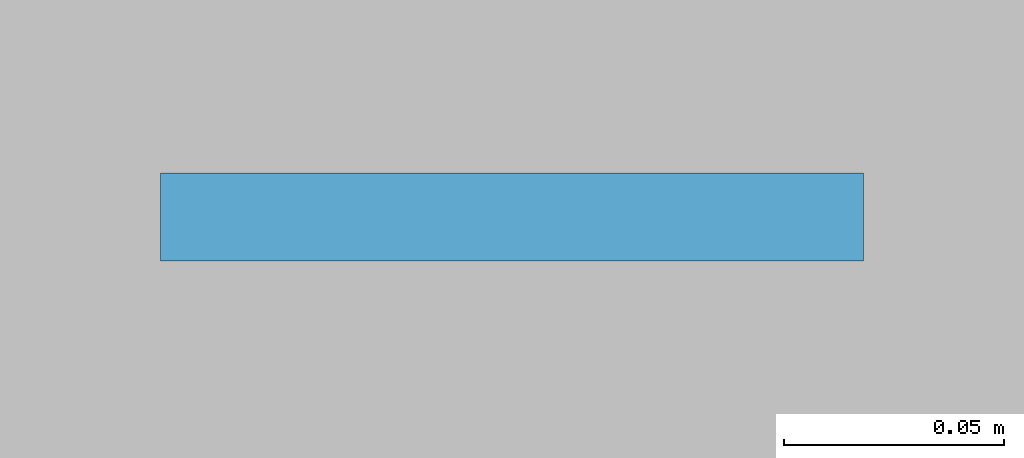
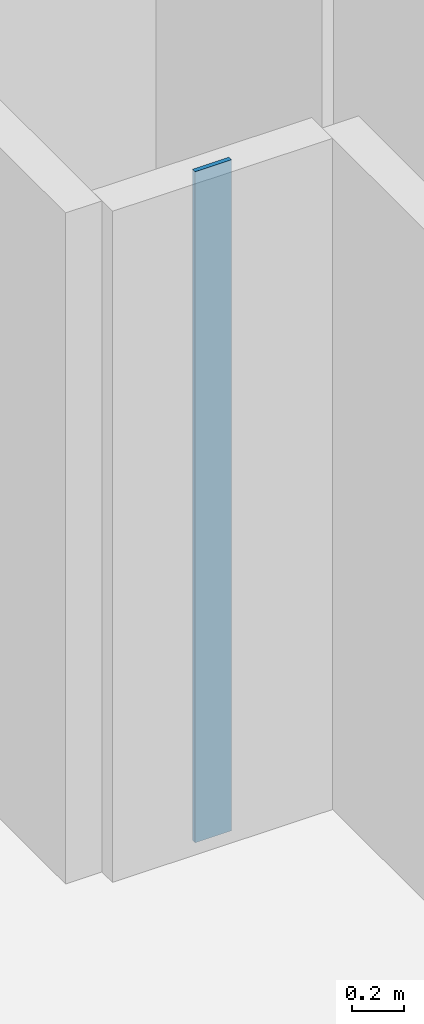
# One storey, part 5 of 13: 1 plate.
"""IFC4 building model written with IfcOpenShell, lengths in metres."""

from ifc_helpers import new_model, si_unit, direction, frame, origin, origin_2d, place, context, subcontext, project, spatial, rectangle, extrude, material, layer, layer_set, type_object, element, save


model = new_model("IFC4")

# Units and contexts
model_context = context("Model", 3, precision=1e-05, world=origin(), true_north=direction((0.0, 1.0)))
body_context = subcontext(model_context, "Body", "Model", "MODEL_VIEW")
ifc_project = project(units=[si_unit("LENGTHUNIT", "METRE"), si_unit("AREAUNIT", "SQUARE_METRE"), si_unit("VOLUMEUNIT", "CUBIC_METRE"), si_unit("PLANEANGLEUNIT", "RADIAN"), si_unit("MASSUNIT", "GRAM", prefix="KILO")], contexts=[model_context])

# Site, building, storey
site_placement = place(None, origin())
site = spatial("IfcSite", under=ifc_project, at=site_placement, CompositionType="ELEMENT")
building_placement = place(site_placement, origin())
building = spatial("IfcBuilding", under=site, at=building_placement, Name="Miruveldt Soraemaru", CompositionType="ELEMENT")
storey_placement = place(building_placement, frame((0.0, 0.0, 49.60009765625)))
storey = spatial("IfcBuildingStorey", under=building, at=storey_placement, Name="L13", CompositionType="ELEMENT", Elevation=49.60009765625)

# Plate
ifc_material = material(Name="Anodised aluminium EN AW-6063 T6", Category="aluminium")
ifc_layer = layer(ifc_material, 0.02001953125, Name="Anodised aluminium EN AW-6063 T6", Category="aluminium")
ifc_layer_set = layer_set([ifc_layer], Name="Anodised aluminium EN AW-6063 T6")
plate_type = type_object("IfcPlateType", Name="PLT-PART-TRIM", PredefinedType="SHEET", material=ifc_layer_set)
plate_placement = place(storey_placement, frame((51.514892578125, 62.1298828125, 0.0), z_axis=(0.0, 0.0, 1.0), x_axis=(-1.0, 0.0, 0.0)))
element("IfcPlate", 1, at=plate_placement, inside=storey, type_object=plate_type, Name="L13 Partition Step Corner Trim Plate 036", PredefinedType="SHEET", context=body_context, shape_type="SweptSolid", body=[
    extrude(rectangle(XDim=0.159912109375, YDim=0.02001953125, at=origin_2d()), origin(), (0.0, 0.0, 1.0), 3.125),
])

save(model, "model.ifc")
